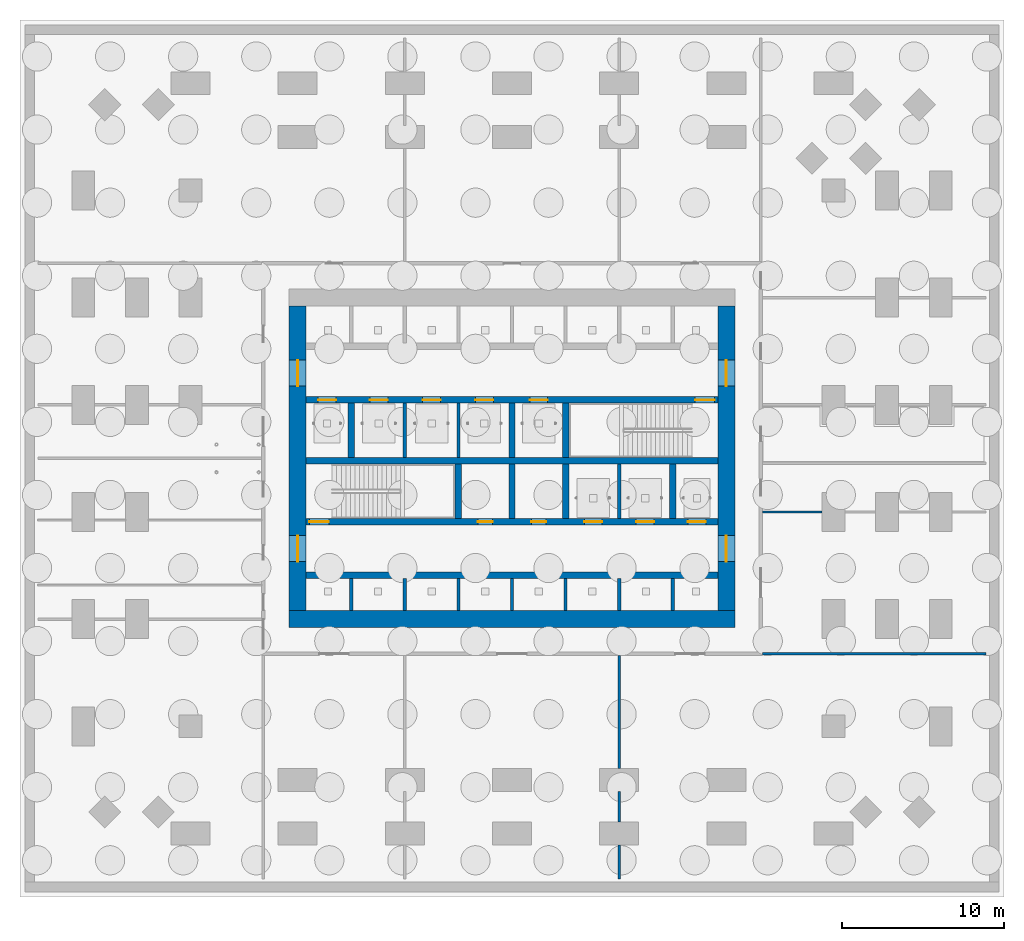
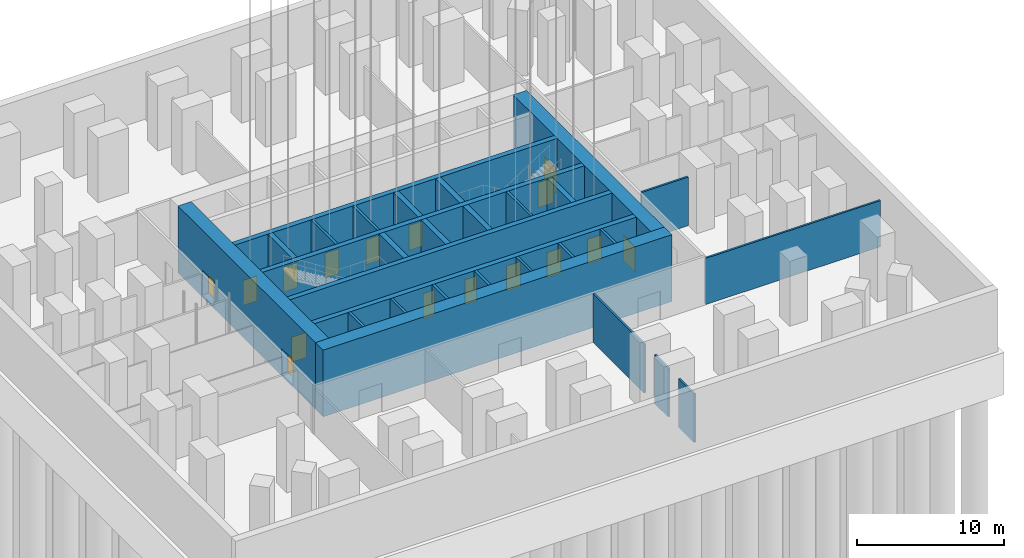
# One storey, part 4 of 17: 29 walls, 16 doors, 16 openings.
"""IFC4 building model written with IfcOpenShell, lengths in metres."""

from ifc_helpers import new_model, si_unit, direction, frame, frame_2d, origin, place, context, subcontext, project, spatial, rectangle, extrude, material, layer, layer_set, type_object, element, fill, save


model = new_model("IFC4")

# Units and contexts
model_context = context("Model", 3, precision=1e-05, world=origin(), true_north=direction((0.0, 1.0)))
body_context = subcontext(model_context, "Body", "Model", "MODEL_VIEW")
ifc_project = project(units=[si_unit("LENGTHUNIT", "METRE"), si_unit("AREAUNIT", "SQUARE_METRE"), si_unit("VOLUMEUNIT", "CUBIC_METRE"), si_unit("PLANEANGLEUNIT", "RADIAN"), si_unit("MASSUNIT", "GRAM", prefix="KILO")], contexts=[model_context])

# Site, building, storey
site_placement = place(None, origin())
site = spatial("IfcSite", under=ifc_project, at=site_placement, CompositionType="ELEMENT")
building_placement = place(site_placement, origin())
building = spatial("IfcBuilding", under=site, at=building_placement, Name="Cobogo Forest Laboratory Tower", CompositionType="ELEMENT")
storey_placement = place(building_placement, frame((0.0, 0.0, -5.39990234375)))
storey = spatial("IfcBuildingStorey", under=building, at=storey_placement, Name="L-01", CompositionType="ELEMENT", Elevation=-5.39990234375)

# Wall
ifc_material_1 = material(Name="Concrete HA-50 (C50/60)", Category="concrete")
ifc_layer_1 = layer(ifc_material_1, 0.39990234375)
ifc_layer_set_1 = layer_set([ifc_layer_1], Name="CI400 core inner wall 400")
wall_type_1 = type_object("IfcWallType", Name="CI400 core inner wall 400", PredefinedType="SHEAR", material=ifc_layer_set_1)
wall_1_placement = place(storey_placement, frame((13.72509765625, 15.89990234375, -0.150146484375), z_axis=(0.0, 0.0, 1.0), x_axis=(1.0, 0.0, 0.0)))
element("IfcWall", 1, at=wall_1_placement, inside=storey, type_object=wall_type_1, Name="Core wall CI-15.9 L-01", PredefinedType="SHEAR", context=body_context, shape_type="SweptSolid", body=[
    extrude(rectangle(XDim=25.349853515625, YDim=0.39990234375, at=frame_2d((12.6748046875, 0.0))), origin(), (0.0, 0.0, 1.0), 5.550048828125),
])

# Wall, openings, doors
wall_2_placement = place(storey_placement, frame((13.72509765625, 19.199951171875, -0.150146484375), z_axis=(0.0, 0.0, 1.0), x_axis=(1.0, 0.0, 0.0)))
wall_2 = element("IfcWall", 2, at=wall_2_placement, inside=storey, type_object=wall_type_1, Name="Core wall CI-19.2 L-01", PredefinedType="SHEAR", context=body_context, shape_type="SweptSolid", body=[
    extrude(rectangle(XDim=25.349853515625, YDim=0.39990234375, at=frame_2d((12.6748046875, 0.0))), origin(), (0.0, 0.0, 1.0), 5.550048828125),
])
opening_1_placement = place(wall_2_placement, frame((10.574951171875, 0.0, 0.14990234375)))
opening_1 = element("IfcOpeningElement", 3, at=opening_1_placement, cuts=wall_2, Name="Opening L-1-D11", PredefinedType="OPENING", context=body_context, shape_type="SweptSolid", body=[
    extrude(rectangle(XDim=0.89990234375, YDim=2.10009765625, at=frame_2d((0.449951171875, 1.050048828125))), frame((0.0, 0.2099609375, 0.0), z_axis=(0.0, -1.0, 0.0), x_axis=(1.0, 0.0, 0.0)), (0.0, 0.0, 1.0), 0.419921875),
])
opening_2_placement = place(wall_2_placement, frame((13.875, 0.0, 0.14990234375)))
opening_2 = element("IfcOpeningElement", 4, at=opening_2_placement, cuts=wall_2, Name="Opening L-1-D12", PredefinedType="OPENING", context=body_context, shape_type="SweptSolid", body=[
    extrude(rectangle(XDim=0.89990234375, YDim=2.10009765625, at=frame_2d((0.449951171875, 1.050048828125))), frame((0.0, 0.2099609375, 0.0), z_axis=(0.0, -1.0, 0.0), x_axis=(1.0, 0.0, 0.0)), (0.0, 0.0, 1.0), 0.419921875),
])
opening_3_placement = place(wall_2_placement, frame((0.199951171875, 0.0, 0.14990234375)))
opening_3 = element("IfcOpeningElement", 5, at=opening_3_placement, cuts=wall_2, Name="Opening L-1-D10", PredefinedType="OPENING", context=body_context, shape_type="SweptSolid", body=[
    extrude(rectangle(XDim=1.199951171875, YDim=2.10009765625, at=frame_2d((0.60009765625, 1.050048828125))), frame((0.0, 0.2099609375, 0.0), z_axis=(0.0, -1.0, 0.0), x_axis=(1.0, 0.0, 0.0)), (0.0, 0.0, 1.0), 0.419921875),
])
opening_4_placement = place(wall_2_placement, frame((23.512451171875, 0.0, 0.14990234375)))
opening_4 = element("IfcOpeningElement", 6, at=opening_4_placement, cuts=wall_2, Name="Opening L-1-LD-FL2", PredefinedType="OPENING", context=body_context, shape_type="SweptSolid", body=[
    extrude(rectangle(XDim=1.10009765625, YDim=2.10009765625, at=frame_2d((0.550048828125, 1.050048828125))), frame((0.0, 0.2099609375, 0.0), z_axis=(0.0, -1.0, 0.0), x_axis=(1.0, 0.0, 0.0)), (0.0, 0.0, 1.0), 0.419921875),
])
opening_5_placement = place(wall_2_placement, frame((17.125, 0.0, 0.14990234375)))
opening_5 = element("IfcOpeningElement", 7, at=opening_5_placement, cuts=wall_2, Name="Opening L-1-LD-LS1", PredefinedType="OPENING", context=body_context, shape_type="SweptSolid", body=[
    extrude(rectangle(XDim=1.10009765625, YDim=2.10009765625, at=frame_2d((0.550048828125, 1.050048828125))), frame((0.0, 0.2099609375, 0.0), z_axis=(0.0, -1.0, 0.0), x_axis=(1.0, 0.0, 0.0)), (0.0, 0.0, 1.0), 0.419921875),
])
opening_6_placement = place(wall_2_placement, frame((20.324951171875, 0.0, 0.14990234375)))
opening_6 = element("IfcOpeningElement", 8, at=opening_6_placement, cuts=wall_2, Name="Opening L-1-LD-LS2", PredefinedType="OPENING", context=body_context, shape_type="SweptSolid", body=[
    extrude(rectangle(XDim=1.10009765625, YDim=2.10009765625, at=frame_2d((0.550048828125, 1.050048828125))), frame((0.0, 0.2099609375, 0.0), z_axis=(0.0, -1.0, 0.0), x_axis=(1.0, 0.0, 0.0)), (0.0, 0.0, 1.0), 0.419921875),
])
ifc_material_2 = material(Name="Steel fire door", Category="steel")
door_type_1 = type_object("IfcDoorType", Name="DS1 protected stair door 1200 EI2 60", OperationType="SINGLE_SWING_LEFT", PredefinedType="DOOR", material=ifc_material_2)
door_1_placement = place(opening_3_placement, origin())
door_1 = element("IfcDoor", 9, at=door_1_placement, inside=storey, type_object=door_type_1, Name="Door L-1-ST1", OperationType="SINGLE_SWING_LEFT", OverallHeight=2.10009765625, OverallWidth=1.199951171875, PredefinedType="DOOR", context=body_context, shape_type="SweptSolid", body=[
    extrude(rectangle(XDim=1.199951171875, YDim=2.10009765625, at=frame_2d((0.60009765625, 1.050048828125))), frame((0.0, 0.02490234375, 0.0), z_axis=(0.0, -1.0, 0.0), x_axis=(1.0, 0.0, 0.0)), (0.0, 0.0, 1.0), 0.050048828125),
])
fill(opening_3, door_1)
door_type_2 = type_object("IfcDoorType", Name="FD4 riser access door 900 EI2 60", OperationType="SINGLE_SWING_LEFT", PredefinedType="DOOR", material=ifc_material_2)
door_2_placement = place(opening_1_placement, origin())
door_2 = element("IfcDoor", 10, at=door_2_placement, inside=storey, type_object=door_type_2, Name="Door L-1-R1", OperationType="SINGLE_SWING_LEFT", OverallHeight=2.10009765625, OverallWidth=0.89990234375, PredefinedType="DOOR", context=body_context, shape_type="SweptSolid", body=[
    extrude(rectangle(XDim=0.89990234375, YDim=2.10009765625, at=frame_2d((0.449951171875, 1.050048828125))), frame((0.0, 0.02490234375, 0.0), z_axis=(0.0, -1.0, 0.0), x_axis=(1.0, 0.0, 0.0)), (0.0, 0.0, 1.0), 0.050048828125),
])
fill(opening_1, door_2)
door_3_placement = place(opening_2_placement, origin())
door_3 = element("IfcDoor", 11, at=door_3_placement, inside=storey, type_object=door_type_2, Name="Door L-1-R2", OperationType="SINGLE_SWING_RIGHT", OverallHeight=2.10009765625, OverallWidth=0.89990234375, PredefinedType="DOOR", context=body_context, shape_type="SweptSolid", body=[
    extrude(rectangle(XDim=0.89990234375, YDim=2.10009765625, at=frame_2d((0.449951171875, 1.050048828125))), frame((0.0, 0.02490234375, 0.0), z_axis=(0.0, -1.0, 0.0), x_axis=(1.0, 0.0, 0.0)), (0.0, 0.0, 1.0), 0.050048828125),
])
fill(opening_2, door_3)
ifc_material_3 = material(Name="Stainless steel lift door", Category="steel")
door_type_3 = type_object("IfcDoorType", Name="LD lift landing door 1100", OperationType="DOUBLE_DOOR_SLIDING", PredefinedType="DOOR", material=ifc_material_3)
door_4_placement = place(opening_4_placement, origin())
door_4 = element("IfcDoor", 12, at=door_4_placement, inside=storey, type_object=door_type_3, Name="Lift landing door FL2 L-01", OperationType="DOUBLE_DOOR_SLIDING", OverallHeight=2.10009765625, OverallWidth=1.10009765625, PredefinedType="DOOR", context=body_context, shape_type="SweptSolid", body=[
    extrude(rectangle(XDim=1.10009765625, YDim=2.10009765625, at=frame_2d((0.550048828125, 1.050048828125))), frame((0.0, 0.02490234375, 0.0), z_axis=(0.0, -1.0, 0.0), x_axis=(1.0, 0.0, 0.0)), (0.0, 0.0, 1.0), 0.050048828125),
])
fill(opening_4, door_4)
door_5_placement = place(opening_5_placement, origin())
door_5 = element("IfcDoor", 13, at=door_5_placement, inside=storey, type_object=door_type_3, Name="Lift landing door LS1 L-01", OperationType="DOUBLE_DOOR_SLIDING", OverallHeight=2.10009765625, OverallWidth=1.10009765625, PredefinedType="DOOR", context=body_context, shape_type="SweptSolid", body=[
    extrude(rectangle(XDim=1.10009765625, YDim=2.10009765625, at=frame_2d((0.550048828125, 1.050048828125))), frame((0.0, 0.02490234375, 0.0), z_axis=(0.0, -1.0, 0.0), x_axis=(1.0, 0.0, 0.0)), (0.0, 0.0, 1.0), 0.050048828125),
])
fill(opening_5, door_5)
door_6_placement = place(opening_6_placement, origin())
door_6 = element("IfcDoor", 14, at=door_6_placement, inside=storey, type_object=door_type_3, Name="Lift landing door LS2 L-01", OperationType="DOUBLE_DOOR_SLIDING", OverallHeight=2.10009765625, OverallWidth=1.10009765625, PredefinedType="DOOR", context=body_context, shape_type="SweptSolid", body=[
    extrude(rectangle(XDim=1.10009765625, YDim=2.10009765625, at=frame_2d((0.550048828125, 1.050048828125))), frame((0.0, 0.02490234375, 0.0), z_axis=(0.0, -1.0, 0.0), x_axis=(1.0, 0.0, 0.0)), (0.0, 0.0, 1.0), 0.050048828125),
])
fill(opening_6, door_6)

# Wall
wall_3_placement = place(storey_placement, frame((13.72509765625, 22.949951171875, -0.150146484375), z_axis=(0.0, 0.0, 1.0), x_axis=(1.0, 0.0, 0.0)))
element("IfcWall", 15, at=wall_3_placement, inside=storey, type_object=wall_type_1, Name="Core wall CI-22.95 L-01", PredefinedType="SHEAR", context=body_context, shape_type="SweptSolid", body=[
    extrude(rectangle(XDim=25.349853515625, YDim=0.39990234375, at=frame_2d((12.6748046875, 0.0))), origin(), (0.0, 0.0, 1.0), 5.550048828125),
])

# Wall, openings, doors
wall_4_placement = place(storey_placement, frame((13.72509765625, 26.699951171875, -0.150146484375), z_axis=(0.0, 0.0, 1.0), x_axis=(1.0, 0.0, 0.0)))
wall_4 = element("IfcWall", 16, at=wall_4_placement, inside=storey, type_object=wall_type_1, Name="Core wall CI-26.7 L-01", PredefinedType="SHEAR", context=body_context, shape_type="SweptSolid", body=[
    extrude(rectangle(XDim=25.349853515625, YDim=0.39990234375, at=frame_2d((12.6748046875, 0.0))), origin(), (0.0, 0.0, 1.0), 5.550048828125),
])
opening_7_placement = place(wall_4_placement, frame((23.949951171875, 0.0, 0.14990234375)))
opening_7 = element("IfcOpeningElement", 17, at=opening_7_placement, cuts=wall_4, Name="Opening L-1-D17", PredefinedType="OPENING", context=body_context, shape_type="SweptSolid", body=[
    extrude(rectangle(XDim=1.199951171875, YDim=2.10009765625, at=frame_2d((0.60009765625, 1.050048828125))), frame((0.0, 0.2099609375, 0.0), z_axis=(0.0, -1.0, 0.0), x_axis=(1.0, 0.0, 0.0)), (0.0, 0.0, 1.0), 0.419921875),
])
opening_8_placement = place(wall_4_placement, frame((0.737548828125, 0.0, 0.14990234375)))
opening_8 = element("IfcOpeningElement", 18, at=opening_8_placement, cuts=wall_4, Name="Opening L-1-LD-FL1", PredefinedType="OPENING", context=body_context, shape_type="SweptSolid", body=[
    extrude(rectangle(XDim=1.10009765625, YDim=2.10009765625, at=frame_2d((0.550048828125, 1.050048828125))), frame((0.0, 0.2099609375, 0.0), z_axis=(0.0, -1.0, 0.0), x_axis=(1.0, 0.0, 0.0)), (0.0, 0.0, 1.0), 0.419921875),
])
opening_9_placement = place(wall_4_placement, frame((3.925048828125, 0.0, 0.14990234375)))
opening_9 = element("IfcOpeningElement", 19, at=opening_9_placement, cuts=wall_4, Name="Opening L-1-LD-LS3", PredefinedType="OPENING", context=body_context, shape_type="SweptSolid", body=[
    extrude(rectangle(XDim=1.10009765625, YDim=2.10009765625, at=frame_2d((0.550048828125, 1.050048828125))), frame((0.0, 0.2099609375, 0.0), z_axis=(0.0, -1.0, 0.0), x_axis=(1.0, 0.0, 0.0)), (0.0, 0.0, 1.0), 0.419921875),
])
opening_10_placement = place(wall_4_placement, frame((7.175048828125, 0.0, 0.14990234375)))
opening_10 = element("IfcOpeningElement", 20, at=opening_10_placement, cuts=wall_4, Name="Opening L-1-LD-LS4", PredefinedType="OPENING", context=body_context, shape_type="SweptSolid", body=[
    extrude(rectangle(XDim=1.10009765625, YDim=2.10009765625, at=frame_2d((0.550048828125, 1.050048828125))), frame((0.0, 0.2099609375, 0.0), z_axis=(0.0, -1.0, 0.0), x_axis=(1.0, 0.0, 0.0)), (0.0, 0.0, 1.0), 0.419921875),
])
opening_11_placement = place(wall_4_placement, frame((10.425048828125, 0.0, 0.14990234375)))
opening_11 = element("IfcOpeningElement", 21, at=opening_11_placement, cuts=wall_4, Name="Opening L-1-LD-LS5", PredefinedType="OPENING", context=body_context, shape_type="SweptSolid", body=[
    extrude(rectangle(XDim=1.10009765625, YDim=2.10009765625, at=frame_2d((0.550048828125, 1.050048828125))), frame((0.0, 0.2099609375, 0.0), z_axis=(0.0, -1.0, 0.0), x_axis=(1.0, 0.0, 0.0)), (0.0, 0.0, 1.0), 0.419921875),
])
opening_12_placement = place(wall_4_placement, frame((13.77490234375, 0.0, 0.14990234375)))
opening_12 = element("IfcOpeningElement", 22, at=opening_12_placement, cuts=wall_4, Name="Opening L-1-LD-LS6", PredefinedType="OPENING", context=body_context, shape_type="SweptSolid", body=[
    extrude(rectangle(XDim=1.10009765625, YDim=2.10009765625, at=frame_2d((0.550048828125, 1.050048828125))), frame((0.0, 0.2099609375, 0.0), z_axis=(0.0, -1.0, 0.0), x_axis=(1.0, 0.0, 0.0)), (0.0, 0.0, 1.0), 0.419921875),
])
door_7_placement = place(opening_7_placement, origin())
door_7 = element("IfcDoor", 23, at=door_7_placement, inside=storey, type_object=door_type_1, Name="Door L-1-ST2", OperationType="SINGLE_SWING_RIGHT", OverallHeight=2.10009765625, OverallWidth=1.199951171875, PredefinedType="DOOR", context=body_context, shape_type="SweptSolid", body=[
    extrude(rectangle(XDim=1.199951171875, YDim=2.10009765625, at=frame_2d((0.60009765625, 1.050048828125))), frame((0.0, 0.02490234375, 0.0), z_axis=(0.0, -1.0, 0.0), x_axis=(1.0, 0.0, 0.0)), (0.0, 0.0, 1.0), 0.050048828125),
])
fill(opening_7, door_7)
door_8_placement = place(opening_8_placement, origin())
door_8 = element("IfcDoor", 24, at=door_8_placement, inside=storey, type_object=door_type_3, Name="Lift landing door FL1 L-01", OperationType="DOUBLE_DOOR_SLIDING", OverallHeight=2.10009765625, OverallWidth=1.10009765625, PredefinedType="DOOR", context=body_context, shape_type="SweptSolid", body=[
    extrude(rectangle(XDim=1.10009765625, YDim=2.10009765625, at=frame_2d((0.550048828125, 1.050048828125))), frame((0.0, 0.02490234375, 0.0), z_axis=(0.0, -1.0, 0.0), x_axis=(1.0, 0.0, 0.0)), (0.0, 0.0, 1.0), 0.050048828125),
])
fill(opening_8, door_8)
door_9_placement = place(opening_9_placement, origin())
door_9 = element("IfcDoor", 25, at=door_9_placement, inside=storey, type_object=door_type_3, Name="Lift landing door LS3 L-01", OperationType="DOUBLE_DOOR_SLIDING", OverallHeight=2.10009765625, OverallWidth=1.10009765625, PredefinedType="DOOR", context=body_context, shape_type="SweptSolid", body=[
    extrude(rectangle(XDim=1.10009765625, YDim=2.10009765625, at=frame_2d((0.550048828125, 1.050048828125))), frame((0.0, 0.02490234375, 0.0), z_axis=(0.0, -1.0, 0.0), x_axis=(1.0, 0.0, 0.0)), (0.0, 0.0, 1.0), 0.050048828125),
])
fill(opening_9, door_9)
door_10_placement = place(opening_10_placement, origin())
door_10 = element("IfcDoor", 26, at=door_10_placement, inside=storey, type_object=door_type_3, Name="Lift landing door LS4 L-01", OperationType="DOUBLE_DOOR_SLIDING", OverallHeight=2.10009765625, OverallWidth=1.10009765625, PredefinedType="DOOR", context=body_context, shape_type="SweptSolid", body=[
    extrude(rectangle(XDim=1.10009765625, YDim=2.10009765625, at=frame_2d((0.550048828125, 1.050048828125))), frame((0.0, 0.02490234375, 0.0), z_axis=(0.0, -1.0, 0.0), x_axis=(1.0, 0.0, 0.0)), (0.0, 0.0, 1.0), 0.050048828125),
])
fill(opening_10, door_10)
door_11_placement = place(opening_11_placement, origin())
door_11 = element("IfcDoor", 27, at=door_11_placement, inside=storey, type_object=door_type_3, Name="Lift landing door LS5 L-01", OperationType="DOUBLE_DOOR_SLIDING", OverallHeight=2.10009765625, OverallWidth=1.10009765625, PredefinedType="DOOR", context=body_context, shape_type="SweptSolid", body=[
    extrude(rectangle(XDim=1.10009765625, YDim=2.10009765625, at=frame_2d((0.550048828125, 1.050048828125))), frame((0.0, 0.02490234375, 0.0), z_axis=(0.0, -1.0, 0.0), x_axis=(1.0, 0.0, 0.0)), (0.0, 0.0, 1.0), 0.050048828125),
])
fill(opening_11, door_11)
door_12_placement = place(opening_12_placement, origin())
door_12 = element("IfcDoor", 28, at=door_12_placement, inside=storey, type_object=door_type_3, Name="Lift landing door LS6 L-01", OperationType="DOUBLE_DOOR_SLIDING", OverallHeight=2.10009765625, OverallWidth=1.10009765625, PredefinedType="DOOR", context=body_context, shape_type="SweptSolid", body=[
    extrude(rectangle(XDim=1.10009765625, YDim=2.10009765625, at=frame_2d((0.550048828125, 1.050048828125))), frame((0.0, 0.02490234375, 0.0), z_axis=(0.0, -1.0, 0.0), x_axis=(1.0, 0.0, 0.0)), (0.0, 0.0, 1.0), 0.050048828125),
])
fill(opening_12, door_12)

# Walls
for number, where, z_axis, x_axis, name in (
    (29, (23.10009765625, 19.39990234375, -0.150146484375), (0.0, 0.0, 1.0), (0.0, 1.0, 0.0), "Core wall CX-23.1 L-01"),
    (30, (26.39990234375, 19.39990234375, -0.150146484375), (0.0, 0.0, 1.0), (0.0, 1.0, 0.0), "Core wall CX-26.4S L-01"),
    (31, (29.699951171875, 19.39990234375, -0.150146484375), (0.0, 0.0, 1.0), (0.0, 1.0, 0.0), "Core wall CX-29.7S L-01"),
    (32, (36.300048828125, 19.39990234375, -0.150146484375), (0.0, 0.0, 1.0), (0.0, 1.0, 0.0), "Core wall CX-36.3 L-01"),
    (33, (16.5, 23.14990234375, -0.150146484375), (0.0, 0.0, 1.0), (0.0, 1.0, 0.0), "Core wall CX-16.5 L-01"),
    (34, (26.39990234375, 23.14990234375, -0.150146484375), (0.0, 0.0, 1.0), (0.0, 1.0, 0.0), "Core wall CX-26.4N L-01"),
    (35, (29.699951171875, 23.14990234375, -0.150146484375), (0.0, 0.0, 1.0), (0.0, 1.0, 0.0), "Core wall CX-29.7N L-01"),
):
    element("IfcWall", number, at=place(storey_placement, frame(where, z_axis=z_axis, x_axis=x_axis)), inside=storey, type_object=wall_type_1, Name=name, PredefinedType="SHEAR", context=body_context, shape_type="SweptSolid", body=[
        extrude(rectangle(XDim=3.35009765625, YDim=0.39990234375, at=frame_2d((1.675048828125, 0.0))), origin(), (0.0, 0.0, 1.0), 5.550048828125),
    ])
ifc_layer_2 = layer(ifc_material_1, 1.050048828125)
ifc_layer_set_2 = layer_set([ifc_layer_2], Name="CW1050 core outer wall 1050")
wall_type_2 = type_object("IfcWallType", Name="CW1050 core outer wall 1050", PredefinedType="SHEAR", material=ifc_layer_set_2)
wall_5_placement = place(storey_placement, frame((12.675048828125, 13.199951171875, -0.150146484375), z_axis=(0.0, 0.0, 1.0), x_axis=(1.0, 0.0, 0.0)))
element("IfcWall", 36, at=wall_5_placement, inside=storey, type_object=wall_type_2, Name="Core wall CO-S L-01", PredefinedType="SHEAR", context=body_context, shape_type="SweptSolid", body=[
    extrude(rectangle(XDim=27.449951171875, YDim=1.050048828125, at=frame_2d((13.72509765625, 0.0))), origin(), (0.0, 0.0, 1.0), 5.550048828125),
])

# Wall, openings, doors
wall_6_placement = place(storey_placement, frame((39.60009765625, 13.72509765625, -0.150146484375), z_axis=(0.0, 0.0, 1.0), x_axis=(0.0, 1.0, 0.0)))
wall_6 = element("IfcWall", 37, at=wall_6_placement, inside=storey, type_object=wall_type_2, Name="Core wall CO-E L-01", PredefinedType="SHEAR", context=body_context, shape_type="SweptSolid", body=[
    extrude(rectangle(XDim=18.75, YDim=1.050048828125, at=frame_2d((9.375, 0.0))), origin(), (0.0, 0.0, 1.0), 5.550048828125),
])
opening_13_placement = place(wall_6_placement, frame((3.02490234375, 0.0, 0.14990234375)))
opening_13 = element("IfcOpeningElement", 38, at=opening_13_placement, cuts=wall_6, Name="Opening L-1-D09", PredefinedType="OPENING", context=body_context, shape_type="SweptSolid", body=[
    extrude(rectangle(XDim=1.60009765625, YDim=2.10009765625, at=frame_2d((0.800048828125, 1.050048828125))), frame((0.0, 0.534912109375, 0.0), z_axis=(0.0, -1.0, 0.0), x_axis=(1.0, 0.0, 0.0)), (0.0, 0.0, 1.0), 1.070068359375),
])
opening_14_placement = place(wall_6_placement, frame((13.824951171875, 0.0, 0.14990234375)))
opening_14 = element("IfcOpeningElement", 39, at=opening_14_placement, cuts=wall_6, Name="Opening L-1-D19", PredefinedType="OPENING", context=body_context, shape_type="SweptSolid", body=[
    extrude(rectangle(XDim=1.60009765625, YDim=2.10009765625, at=frame_2d((0.800048828125, 1.050048828125))), frame((0.0, 0.534912109375, 0.0), z_axis=(0.0, -1.0, 0.0), x_axis=(1.0, 0.0, 0.0)), (0.0, 0.0, 1.0), 1.070068359375),
])
door_type_4 = type_object("IfcDoorType", Name="DS2 protected lobby door pair 1600 EI2 60", OperationType="DOUBLE_DOOR_DOUBLE_SWING", PredefinedType="DOOR", material=ifc_material_2)
door_13_placement = place(opening_13_placement, origin())
door_13 = element("IfcDoor", 40, at=door_13_placement, inside=storey, type_object=door_type_4, Name="Door L-1-CO-E-S", OperationType="DOUBLE_DOOR_DOUBLE_SWING", OverallHeight=2.10009765625, OverallWidth=1.60009765625, PredefinedType="DOOR", context=body_context, shape_type="SweptSolid", body=[
    extrude(rectangle(XDim=1.60009765625, YDim=2.10009765625, at=frame_2d((0.800048828125, 1.050048828125))), frame((0.0, 0.02490234375, 0.0), z_axis=(0.0, -1.0, 0.0), x_axis=(1.0, 0.0, 0.0)), (0.0, 0.0, 1.0), 0.050048828125),
])
fill(opening_13, door_13)
door_14_placement = place(opening_14_placement, origin())
door_14 = element("IfcDoor", 41, at=door_14_placement, inside=storey, type_object=door_type_4, Name="Door L-1-CO-E-N", OperationType="DOUBLE_DOOR_DOUBLE_SWING", OverallHeight=2.10009765625, OverallWidth=1.60009765625, PredefinedType="DOOR", context=body_context, shape_type="SweptSolid", body=[
    extrude(rectangle(XDim=1.60009765625, YDim=2.10009765625, at=frame_2d((0.800048828125, 1.050048828125))), frame((0.0, 0.02490234375, 0.0), z_axis=(0.0, -1.0, 0.0), x_axis=(1.0, 0.0, 0.0)), (0.0, 0.0, 1.0), 0.050048828125),
])
fill(opening_14, door_14)

wall_7_placement = place(storey_placement, frame((13.199951171875, 32.47509765625, -0.150146484375), z_axis=(0.0, 0.0, 1.0), x_axis=(0.0, -1.0, 0.0)))
wall_7 = element("IfcWall", 42, at=wall_7_placement, inside=storey, type_object=wall_type_2, Name="Core wall CO-W L-01", PredefinedType="SHEAR", context=body_context, shape_type="SweptSolid", body=[
    extrude(rectangle(XDim=18.75, YDim=1.050048828125, at=frame_2d((9.375, 0.0))), origin(), (0.0, 0.0, 1.0), 5.550048828125),
])
opening_15_placement = place(wall_7_placement, frame((14.125, 0.0, 0.14990234375)))
opening_15 = element("IfcOpeningElement", 43, at=opening_15_placement, cuts=wall_7, Name="Opening L-1-D08", PredefinedType="OPENING", context=body_context, shape_type="SweptSolid", body=[
    extrude(rectangle(XDim=1.60009765625, YDim=2.10009765625, at=frame_2d((0.800048828125, 1.050048828125))), frame((0.0, 0.534912109375, 0.0), z_axis=(0.0, -1.0, 0.0), x_axis=(1.0, 0.0, 0.0)), (0.0, 0.0, 1.0), 1.070068359375),
])
opening_16_placement = place(wall_7_placement, frame((3.324951171875, 0.0, 0.14990234375)))
opening_16 = element("IfcOpeningElement", 44, at=opening_16_placement, cuts=wall_7, Name="Opening L-1-D18", PredefinedType="OPENING", context=body_context, shape_type="SweptSolid", body=[
    extrude(rectangle(XDim=1.60009765625, YDim=2.10009765625, at=frame_2d((0.800048828125, 1.050048828125))), frame((0.0, 0.534912109375, 0.0), z_axis=(0.0, -1.0, 0.0), x_axis=(1.0, 0.0, 0.0)), (0.0, 0.0, 1.0), 1.070068359375),
])
door_15_placement = place(opening_15_placement, origin())
door_15 = element("IfcDoor", 45, at=door_15_placement, inside=storey, type_object=door_type_4, Name="Door L-1-CO-W-S", OperationType="DOUBLE_DOOR_DOUBLE_SWING", OverallHeight=2.10009765625, OverallWidth=1.60009765625, PredefinedType="DOOR", context=body_context, shape_type="SweptSolid", body=[
    extrude(rectangle(XDim=1.60009765625, YDim=2.10009765625, at=frame_2d((0.800048828125, 1.050048828125))), frame((0.0, 0.02490234375, 0.0), z_axis=(0.0, -1.0, 0.0), x_axis=(1.0, 0.0, 0.0)), (0.0, 0.0, 1.0), 0.050048828125),
])
fill(opening_15, door_15)
door_16_placement = place(opening_16_placement, origin())
door_16 = element("IfcDoor", 46, at=door_16_placement, inside=storey, type_object=door_type_4, Name="Door L-1-CO-W-N", OperationType="DOUBLE_DOOR_DOUBLE_SWING", OverallHeight=2.10009765625, OverallWidth=1.60009765625, PredefinedType="DOOR", context=body_context, shape_type="SweptSolid", body=[
    extrude(rectangle(XDim=1.60009765625, YDim=2.10009765625, at=frame_2d((0.800048828125, 1.050048828125))), frame((0.0, 0.02490234375, 0.0), z_axis=(0.0, -1.0, 0.0), x_axis=(1.0, 0.0, 0.0)), (0.0, 0.0, 1.0), 0.050048828125),
])
fill(opening_16, door_16)

# Walls
ifc_material_4 = material(Name="Gypsum board on steel studs", Category="steel")
ifc_layer_3 = layer(ifc_material_4, 0.14990234375)
ifc_layer_set_3 = layer_set([ifc_layer_3], Name="PT1 laboratory partition 150")
wall_type_3 = type_object("IfcWallType", Name="PT1 laboratory partition 150", PredefinedType="PARTITIONING", material=ifc_layer_set_3)
wall_8_placement = place(storey_placement, frame((55.60009765625, 11.074951171875, 0.0), z_axis=(0.0, 0.0, 1.0), x_axis=(-1.0, 0.0, 0.0)))
element("IfcWall", 47, at=wall_8_placement, inside=storey, type_object=wall_type_3, Name="Partition PW-SE L-01", PredefinedType="PARTITIONING", context=body_context, shape_type="SweptSolid", body=[
    extrude(rectangle(XDim=13.775146484375, YDim=0.14990234375, at=frame_2d((6.8876953125, 0.0))), origin(), (0.0, 0.0, 1.0), 3.849853515625),
])
wall_9_placement = place(storey_placement, frame((33.0, -2.800048828125, 0.0), z_axis=(0.0, 0.0, 1.0), x_axis=(0.0, 1.0, 0.0)))
element("IfcWall", 48, at=wall_9_placement, inside=storey, type_object=wall_type_3, Name="Partition CUT-S33-1 L-01", PredefinedType="PARTITIONING", context=body_context, shape_type="SweptSolid", body=[
    extrude(rectangle(XDim=2.10009765625, YDim=0.14990234375, at=frame_2d((1.050048828125, 0.0))), origin(), (0.0, 0.0, 1.0), 4.0498046875),
])
wall_10_placement = place(storey_placement, frame((33.0, 0.699951171875, 0.0), z_axis=(0.0, 0.0, 1.0), x_axis=(0.0, 1.0, 0.0)))
element("IfcWall", 49, at=wall_10_placement, inside=storey, type_object=wall_type_3, Name="Partition CUT-S33-2 L-01", PredefinedType="PARTITIONING", context=body_context, shape_type="SweptSolid", body=[
    extrude(rectangle(XDim=1.900146484375, YDim=0.14990234375, at=frame_2d((0.9501953125, 0.0))), origin(), (0.0, 0.0, 1.0), 4.0498046875),
])
wall_11_placement = place(storey_placement, frame((33.0, 4.0, 0.0), z_axis=(0.0, 0.0, 1.0), x_axis=(0.0, 1.0, 0.0)))
element("IfcWall", 50, at=wall_11_placement, inside=storey, type_object=wall_type_3, Name="Partition CUT-S33-3 L-01", PredefinedType="PARTITIONING", context=body_context, shape_type="SweptSolid", body=[
    extrude(rectangle(XDim=6.97509765625, YDim=0.14990234375, at=frame_2d((3.487548828125, 0.0))), origin(), (0.0, 0.0, 1.0), 4.0498046875),
])
wall_12_placement = place(storey_placement, frame((45.5, 19.800048828125, 0.0), z_axis=(0.0, 0.0, 1.0), x_axis=(-1.0, 0.0, 0.0)))
element("IfcWall", 51, at=wall_12_placement, inside=storey, type_object=wall_type_3, Name="Partition CUT-E19.8-4 L-01", PredefinedType="PARTITIONING", context=body_context, shape_type="SweptSolid", body=[
    extrude(rectangle(XDim=3.675048828125, YDim=0.14990234375, at=frame_2d((1.83740234375, 0.0))), origin(), (0.0, 0.0, 1.0), 4.0498046875),
])
ifc_material_5 = material(Name="Concrete block", Category="concrete")
ifc_layer_4 = layer(ifc_material_5, 0.199951171875)
ifc_layer_set_4 = layer_set([ifc_layer_4], Name="SW200 lift shaft separator 200")
wall_type_4 = type_object("IfcWallType", Name="SW200 lift shaft separator 200", PredefinedType="PARTITIONING", material=ifc_layer_set_4)
for number, where, z_axis, x_axis, name in (
    (52, (16.5, 13.72509765625, -0.150146484375), (0.0, 0.0, 1.0), (0.0, 1.0, 0.0), "Core wall SEP-S1 L-01"),
    (53, (19.800048828125, 13.72509765625, -0.150146484375), (0.0, 0.0, 1.0), (0.0, 1.0, 0.0), "Core wall SEP-S2 L-01"),
    (54, (23.10009765625, 13.72509765625, -0.150146484375), (0.0, 0.0, 1.0), (0.0, 1.0, 0.0), "Core wall SEP-S3 L-01"),
    (55, (26.39990234375, 13.72509765625, -0.150146484375), (0.0, 0.0, 1.0), (0.0, 1.0, 0.0), "Core wall SEP-S4 L-01"),
    (56, (29.699951171875, 13.72509765625, -0.150146484375), (0.0, 0.0, 1.0), (0.0, 1.0, 0.0), "Core wall SEP-S5 L-01"),
    (57, (33.0, 13.72509765625, -0.150146484375), (0.0, 0.0, 1.0), (0.0, 1.0, 0.0), "Core wall SEP-S6 L-01"),
    (58, (36.300048828125, 13.72509765625, -0.150146484375), (0.0, 0.0, 1.0), (0.0, 1.0, 0.0), "Core wall SEP-S7 L-01"),
):
    element("IfcWall", number, at=place(storey_placement, frame(where, z_axis=z_axis, x_axis=x_axis)), inside=storey, type_object=wall_type_4, Name=name, PredefinedType="PARTITIONING", context=body_context, shape_type="SweptSolid", body=[
        extrude(rectangle(XDim=1.974853515625, YDim=0.199951171875, at=frame_2d((0.9873046875, 0.0))), origin(), (0.0, 0.0, 1.0), 5.550048828125),
    ])
for number, where, z_axis, x_axis, name in (
    (59, (33.0, 19.39990234375, -0.150146484375), (0.0, 0.0, 1.0), (0.0, 1.0, 0.0), "Core wall SEP-M33.0 L-01"),
    (60, (19.800048828125, 23.14990234375, -0.150146484375), (0.0, 0.0, 1.0), (0.0, 1.0, 0.0), "Core wall SEP-M19.8 L-01"),
    (61, (23.10009765625, 23.14990234375, -0.150146484375), (0.0, 0.0, 1.0), (0.0, 1.0, 0.0), "Core wall SEP-M23.1 L-01"),
):
    element("IfcWall", number, at=place(storey_placement, frame(where, z_axis=z_axis, x_axis=x_axis)), inside=storey, type_object=wall_type_4, Name=name, PredefinedType="PARTITIONING", context=body_context, shape_type="SweptSolid", body=[
        extrude(rectangle(XDim=3.35009765625, YDim=0.199951171875, at=frame_2d((1.675048828125, 0.0))), origin(), (0.0, 0.0, 1.0), 5.550048828125),
    ])

save(model, "model.ifc")
